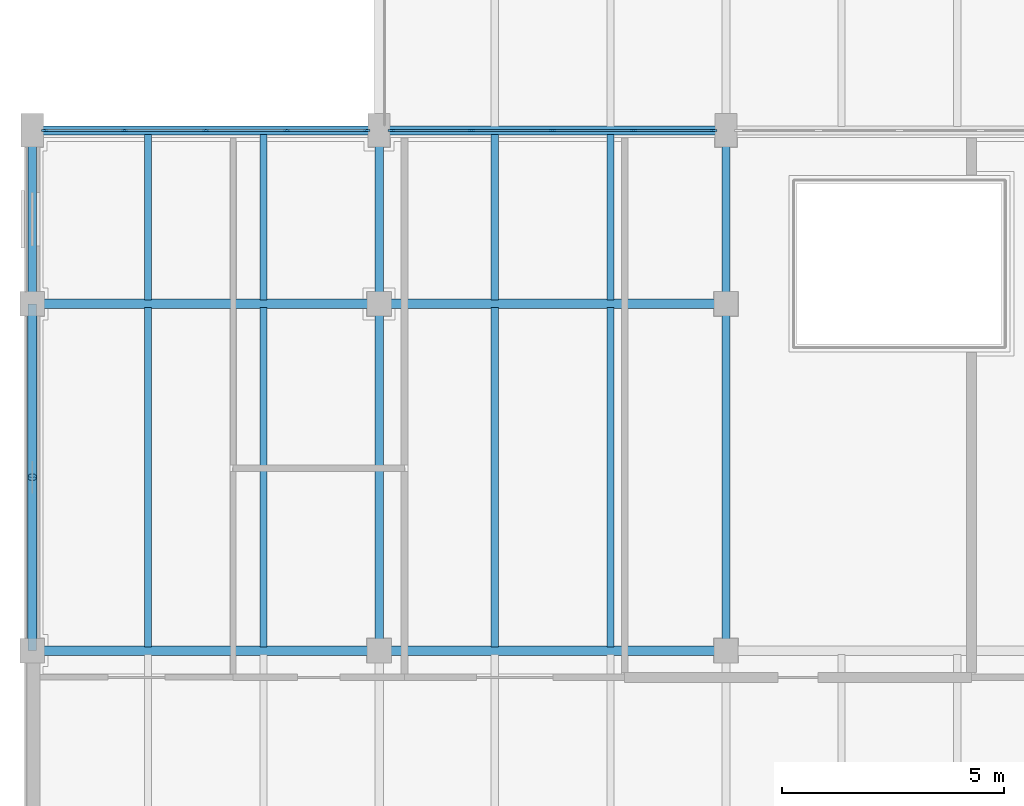
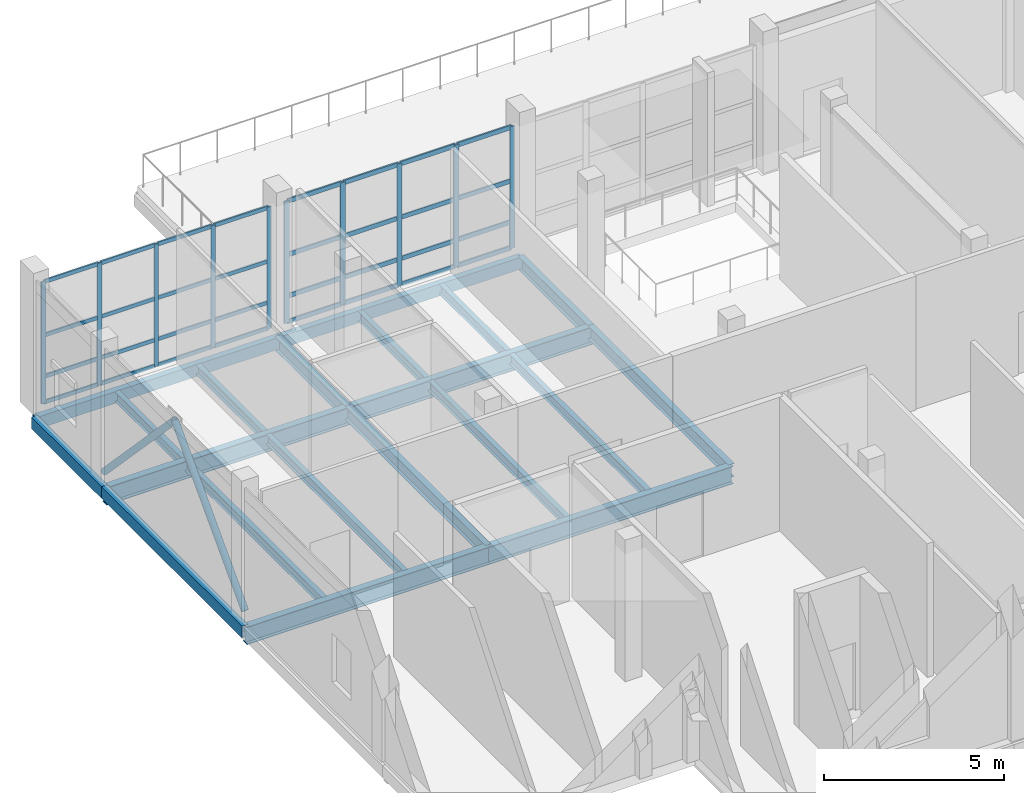
# One storey, part 32 of 138: 44 members, 20 beams, 2 elements without a shape of their own.
"""IFC4 building model written with IfcOpenShell, lengths in metres."""

from ifc_helpers import new_model, si_unit, direction, frame, origin, origin_2d, place, context, subcontext, project, spatial, rectangle, hollow_rectangle, hollow_circle, i_section, extrude, material, layer, layer_set, material_profile, profile_set, type_object, element, aggregate, save


model = new_model("IFC4")

# Units and contexts
model_context = context("Model", 3, precision=1e-05, world=origin(), true_north=direction((0.0, 1.0)))
body_context = subcontext(model_context, "Body", "Model", "MODEL_VIEW")
ifc_project = project(units=[si_unit("LENGTHUNIT", "METRE"), si_unit("AREAUNIT", "SQUARE_METRE"), si_unit("VOLUMEUNIT", "CUBIC_METRE"), si_unit("PLANEANGLEUNIT", "RADIAN"), si_unit("MASSUNIT", "GRAM", prefix="KILO")], contexts=[model_context])

# Site, building, storey
site_placement = place(None, origin())
site = spatial("IfcSite", under=ifc_project, at=site_placement, CompositionType="ELEMENT")
building_placement = place(site_placement, origin())
building = spatial("IfcBuilding", under=site, at=building_placement, Name="Celorna Specialist Clinic", CompositionType="ELEMENT")
storey_placement = place(building_placement, frame((0.0, 0.0, 4.800048828125)))
storey = spatial("IfcBuildingStorey", under=building, at=storey_placement, Name="L01", CompositionType="ELEMENT", Elevation=4.800048828125)

# Beams
ifc_material_1 = material(Name="Steel S355", Category="steel")
ifc_material_profile_1 = material_profile(ifc_material_1, i_section(OverallWidth=0.219970703125, OverallDepth=0.60009765625, WebThickness=0.011962890625, FlangeThickness=0.01904296875, at=origin_2d()), Name="IPE 600")
ifc_profile_set_1 = profile_set([ifc_material_profile_1], Name="Steel S355")
beam_type_1 = type_object("IfcBeamType", Name="BM-06", PredefinedType="BEAM", material=ifc_profile_set_1)
for number, where, z_axis, x_axis, name in (
    (1, (0.0, 50.699951171875, -0.64013671875), (1.0, 0.0, 0.0), (0.0, 1.0, 0.0), "Primary girder BM-06 #369"),
    (2, (7.800048828125, 50.699951171875, -0.64013671875), (1.0, 0.0, 0.0), (0.0, 1.0, 0.0), "Primary girder BM-06 #370"),
    (3, (0.0, 58.5, -0.64013671875), (1.0, 0.0, 0.0), (0.0, 1.0, 0.0), "Primary girder BM-06 #375"),
    (4, (7.800048828125, 58.5, -0.64013671875), (1.0, 0.0, 0.0), (0.0, 1.0, 0.0), "Primary girder BM-06 #376"),
):
    element("IfcBeam", number, at=place(storey_placement, frame(where, z_axis=z_axis, x_axis=x_axis)), inside=storey, type_object=beam_type_1, Name=name, PredefinedType="BEAM", context=body_context, shape_type="SweptSolid", body=[
        extrude(i_section(OverallWidth=0.219970703125, OverallDepth=0.60009765625, WebThickness=0.011962890625, FlangeThickness=0.01904296875, at=origin_2d()), origin(), (0.0, 0.0, 1.0), 7.800048828125),
    ])
ifc_material_profile_2 = material_profile(ifc_material_1, i_section(OverallWidth=0.18994140625, OverallDepth=0.449951171875, WebThickness=0.009521484375, FlangeThickness=0.0146484375, at=origin_2d()), Name="IPE 450")
ifc_profile_set_2 = profile_set([ifc_material_profile_2], Name="Steel S355")
beam_type_2 = type_object("IfcBeamType", Name="BM-09", PredefinedType="BEAM", material=ifc_profile_set_2)
beam_1_placement = place(storey_placement, frame((7.800048828125, 50.699951171875, -0.56494140625), z_axis=(0.0, 1.0, 0.0), x_axis=(-1.0, 0.0, 0.0)))
element("IfcBeam", 5, at=beam_1_placement, inside=storey, type_object=beam_type_2, Name="Transverse girder BM-09 #392", PredefinedType="BEAM", context=body_context, shape_type="SweptSolid", body=[
    extrude(i_section(OverallWidth=0.18994140625, OverallDepth=0.449951171875, WebThickness=0.009521484375, FlangeThickness=0.0146484375, at=origin_2d()), origin(), (0.0, 0.0, 1.0), 7.800048828125),
])
beam_2_placement = place(storey_placement, frame((7.800048828125, 58.5, -0.56494140625), z_axis=(0.0, 1.0, 0.0), x_axis=(-1.0, 0.0, 0.0)))
element("IfcBeam", 6, at=beam_2_placement, inside=storey, type_object=beam_type_2, Name="Transverse girder BM-09 #393", PredefinedType="BEAM", context=body_context, shape_type="SweptSolid", body=[
    extrude(i_section(OverallWidth=0.18994140625, OverallDepth=0.449951171875, WebThickness=0.009521484375, FlangeThickness=0.0146484375, at=origin_2d()), origin(), (0.0, 0.0, 1.0), 3.89990234375),
])
beam_3_placement = place(storey_placement, frame((15.60009765625, 50.699951171875, -0.56494140625), z_axis=(0.0, 1.0, 0.0), x_axis=(-1.0, 0.0, 0.0)))
element("IfcBeam", 7, at=beam_3_placement, inside=storey, type_object=beam_type_2, Name="Transverse girder BM-09 #396", PredefinedType="BEAM", context=body_context, shape_type="SweptSolid", body=[
    extrude(i_section(OverallWidth=0.18994140625, OverallDepth=0.449951171875, WebThickness=0.009521484375, FlangeThickness=0.0146484375, at=origin_2d()), origin(), (0.0, 0.0, 1.0), 7.800048828125),
])
beam_4_placement = place(storey_placement, frame((15.60009765625, 58.5, -0.56494140625), z_axis=(0.0, 1.0, 0.0), x_axis=(-1.0, 0.0, 0.0)))
element("IfcBeam", 8, at=beam_4_placement, inside=storey, type_object=beam_type_2, Name="Transverse girder BM-09 #397", PredefinedType="BEAM", context=body_context, shape_type="SweptSolid", body=[
    extrude(i_section(OverallWidth=0.18994140625, OverallDepth=0.449951171875, WebThickness=0.009521484375, FlangeThickness=0.0146484375, at=origin_2d()), origin(), (0.0, 0.0, 1.0), 3.89990234375),
])
ifc_material_profile_3 = material_profile(ifc_material_1, i_section(OverallWidth=0.159912109375, OverallDepth=0.330078125, WebThickness=0.007568359375, FlangeThickness=0.011474609375, at=origin_2d()), Name="IPE 330")
ifc_profile_set_3 = profile_set([ifc_material_profile_3], Name="Steel S355")
beam_type_3 = type_object("IfcBeamType", Name="BM-12", PredefinedType="JOIST", material=ifc_profile_set_3)
for number, where, z_axis, x_axis, name in (
    (9, (2.60009765625, 50.7880859375, -0.505126953125), (0.0, 1.0, 0.0), (-1.0, 0.0, 0.0), "Secondary floor joist BM-12 #416"),
    (10, (5.199951171875, 50.7880859375, -0.505126953125), (0.0, 1.0, 0.0), (-1.0, 0.0, 0.0), "Secondary floor joist BM-12 #417"),
):
    element("IfcBeam", number, at=place(storey_placement, frame(where, z_axis=z_axis, x_axis=x_axis)), inside=storey, type_object=beam_type_3, Name=name, PredefinedType="JOIST", context=body_context, shape_type="SweptSolid", body=[
        extrude(i_section(OverallWidth=0.159912109375, OverallDepth=0.330078125, WebThickness=0.007568359375, FlangeThickness=0.011474609375, at=origin_2d()), origin(), (0.0, 0.0, 1.0), 7.6240234375),
    ])
for number, where, z_axis, x_axis, name in (
    (11, (2.60009765625, 58.587890625, -0.505126953125), (0.0, 1.0, 0.0), (-1.0, 0.0, 0.0), "Secondary floor joist BM-12 #418"),
    (12, (5.199951171875, 58.587890625, -0.505126953125), (0.0, 1.0, 0.0), (-1.0, 0.0, 0.0), "Secondary floor joist BM-12 #419"),
):
    element("IfcBeam", number, at=place(storey_placement, frame(where, z_axis=z_axis, x_axis=x_axis)), inside=storey, type_object=beam_type_3, Name=name, PredefinedType="JOIST", context=body_context, shape_type="SweptSolid", body=[
        extrude(i_section(OverallWidth=0.159912109375, OverallDepth=0.330078125, WebThickness=0.007568359375, FlangeThickness=0.011474609375, at=origin_2d()), origin(), (0.0, 0.0, 1.0), 3.72412109375),
    ])
for number, where, z_axis, x_axis, name in (
    (13, (10.39990234375, 50.7880859375, -0.505126953125), (0.0, 1.0, 0.0), (-1.0, 0.0, 0.0), "Secondary floor joist BM-12 #424"),
    (14, (13.0, 50.7880859375, -0.505126953125), (0.0, 1.0, 0.0), (-1.0, 0.0, 0.0), "Secondary floor joist BM-12 #425"),
):
    element("IfcBeam", number, at=place(storey_placement, frame(where, z_axis=z_axis, x_axis=x_axis)), inside=storey, type_object=beam_type_3, Name=name, PredefinedType="JOIST", context=body_context, shape_type="SweptSolid", body=[
        extrude(i_section(OverallWidth=0.159912109375, OverallDepth=0.330078125, WebThickness=0.007568359375, FlangeThickness=0.011474609375, at=origin_2d()), origin(), (0.0, 0.0, 1.0), 7.6240234375),
    ])
for number, where, z_axis, x_axis, name in (
    (15, (10.39990234375, 58.587890625, -0.505126953125), (0.0, 1.0, 0.0), (-1.0, 0.0, 0.0), "Secondary floor joist BM-12 #426"),
    (16, (13.0, 58.587890625, -0.505126953125), (0.0, 1.0, 0.0), (-1.0, 0.0, 0.0), "Secondary floor joist BM-12 #427"),
):
    element("IfcBeam", number, at=place(storey_placement, frame(where, z_axis=z_axis, x_axis=x_axis)), inside=storey, type_object=beam_type_3, Name=name, PredefinedType="JOIST", context=body_context, shape_type="SweptSolid", body=[
        extrude(i_section(OverallWidth=0.159912109375, OverallDepth=0.330078125, WebThickness=0.007568359375, FlangeThickness=0.011474609375, at=origin_2d()), origin(), (0.0, 0.0, 1.0), 3.72412109375),
    ])
ifc_material_profile_4 = material_profile(ifc_material_1, hollow_rectangle(XDim=0.199951171875, YDim=0.39990234375, WallThickness=0.011962890625, at=origin_2d()), Name="RHS 200x400x12")
ifc_profile_set_4 = profile_set([ifc_material_profile_4], Name="Steel S355")
beam_type_4 = type_object("IfcBeamType", Name="BM-15", PredefinedType="SPANDREL", material=ifc_profile_set_4)
for number, where, z_axis, x_axis, name in (
    (17, (0.0, 62.39990234375, -0.5400390625), (1.0, 0.0, 0.0), (0.0, 1.0, 0.0), "Spandrel beam BM-15 #380"),
    (18, (7.800048828125, 62.39990234375, -0.5400390625), (1.0, 0.0, 0.0), (0.0, 1.0, 0.0), "Spandrel beam BM-15 #381"),
    (19, (0.0, 50.699951171875, -0.5400390625), (0.0, 1.0, 0.0), (-1.0, 0.0, 0.0), "Spandrel beam BM-15 #388"),
):
    element("IfcBeam", number, at=place(storey_placement, frame(where, z_axis=z_axis, x_axis=x_axis)), inside=storey, type_object=beam_type_4, Name=name, PredefinedType="SPANDREL", context=body_context, shape_type="SweptSolid", body=[
        extrude(hollow_rectangle(XDim=0.199951171875, YDim=0.39990234375, WallThickness=0.011962890625, at=origin_2d()), origin(), (0.0, 0.0, 1.0), 7.800048828125),
    ])
beam_5_placement = place(storey_placement, frame((0.0, 58.5, -0.5400390625), z_axis=(0.0, 1.0, 0.0), x_axis=(-1.0, 0.0, 0.0)))
element("IfcBeam", 20, at=beam_5_placement, inside=storey, type_object=beam_type_4, Name="Spandrel beam BM-15 #389", PredefinedType="SPANDREL", context=body_context, shape_type="SweptSolid", body=[
    extrude(hollow_rectangle(XDim=0.199951171875, YDim=0.39990234375, WallThickness=0.011962890625, at=origin_2d()), origin(), (0.0, 0.0, 1.0), 3.89990234375),
])

# Members
ifc_material_profile_5 = material_profile(ifc_material_1, hollow_circle(Radius=0.109619140625, WallThickness=0.012451171875, at=origin_2d()), Name="CHS 219.1x12.5")
ifc_profile_set_5 = profile_set([ifc_material_profile_5], Name="Steel S355")
member_type_1 = type_object("IfcMemberType", Name="MB-07", PredefinedType="BRACE", material=ifc_profile_set_5)
for number, where, z_axis, x_axis, name in (
    (21, (0.0, 50.699951171875, 0.14990234375), (0.0, 0.689218737868, 0.724553332317), (-1.0, 0.0, 0.0), "Lateral chevron brace WP-110-WP-111"),
    (22, (0.0, 58.5, 0.14990234375), (0.0, -0.689196087446, 0.724574877462), (1.0, 0.0, 0.0), "Lateral chevron brace WP-112-WP-111"),
):
    element("IfcMember", number, at=place(storey_placement, frame(where, z_axis=z_axis, x_axis=x_axis)), inside=storey, type_object=member_type_1, Name=name, PredefinedType="BRACE", context=body_context, shape_type="SweptSolid", body=[
        extrude(hollow_circle(Radius=0.109619140625, WallThickness=0.012451171875, at=origin_2d()), origin(), (0.0, 0.0, 1.0), 5.65869140625),
    ])

# Curtain wall, members
ifc_material_2 = material(Name="Thermally broken aluminium and solar-control glass curtain wall", Category="aluminium")
ifc_layer_1 = layer(ifc_material_2, 0.159912109375, Name="Thermally broken aluminium and solar-control glass curtain wall")
ifc_layer_set_1 = layer_set([ifc_layer_1], Name="Thermally broken aluminium and solar-control glass curtain wall")
curtain_wall_type_1 = type_object("IfcCurtainWallType", Name="CW-23", PredefinedType="NOTDEFINED", material=ifc_layer_set_1)
curtain_wall_1_placement = place(storey_placement, origin())
curtain_wall_1 = element("IfcCurtainWall", 23, at=curtain_wall_1_placement, inside=storey, type_object=curtain_wall_type_1, Name="Curtain wall CW-23 #51", PredefinedType="NOTDEFINED")
ifc_material_3 = material(Name="Anodized aluminium mullion", Category="aluminium")
ifc_material_profile_6 = material_profile(ifc_material_3, rectangle(XDim=0.050048828125, YDim=0.159912109375, at=origin_2d()), Name="ALU MULLION 50x160")
ifc_profile_set_6 = profile_set([ifc_material_profile_6], Name="Anodized aluminium mullion")
member_type_2 = type_object("IfcMemberType", Name="ML-01", PredefinedType="MULLION", material=ifc_profile_set_6)
member_1_placement = place(storey_placement, frame((8.0791015625, 62.39990234375, 0.0), z_axis=(0.0, 0.0, 1.0), x_axis=(0.0, 1.0, 0.0)))
member_1 = element("IfcMember", 24, at=member_1_placement, type_object=member_type_2, Name="CW-23 mullion 1", PredefinedType="MULLION", context=body_context, shape_type="SweptSolid", body=[
    extrude(rectangle(XDim=0.050048828125, YDim=0.159912109375, at=origin_2d()), origin(), (0.0, 0.0, 1.0), 4.139892578125),
])
member_2_placement = place(storey_placement, frame((9.876953125, 62.39990234375, 0.0), z_axis=(0.0, 0.0, 1.0), x_axis=(0.0, 1.0, 0.0)))
member_2 = element("IfcMember", 25, at=member_2_placement, type_object=member_type_2, Name="CW-23 mullion 2", PredefinedType="MULLION", context=body_context, shape_type="SweptSolid", body=[
    extrude(rectangle(XDim=0.050048828125, YDim=0.159912109375, at=origin_2d()), origin(), (0.0, 0.0, 1.0), 4.139892578125),
])
member_3_placement = place(storey_placement, frame((11.699951171875, 62.39990234375, 0.0), z_axis=(0.0, 0.0, 1.0), x_axis=(0.0, 1.0, 0.0)))
member_3 = element("IfcMember", 26, at=member_3_placement, type_object=member_type_2, Name="CW-23 mullion 3", PredefinedType="MULLION", context=body_context, shape_type="SweptSolid", body=[
    extrude(rectangle(XDim=0.050048828125, YDim=0.159912109375, at=origin_2d()), origin(), (0.0, 0.0, 1.0), 4.139892578125),
])
member_4_placement = place(storey_placement, frame((13.52294921875, 62.39990234375, 0.0), z_axis=(0.0, 0.0, 1.0), x_axis=(0.0, 1.0, 0.0)))
member_4 = element("IfcMember", 27, at=member_4_placement, type_object=member_type_2, Name="CW-23 mullion 4", PredefinedType="MULLION", context=body_context, shape_type="SweptSolid", body=[
    extrude(rectangle(XDim=0.050048828125, YDim=0.159912109375, at=origin_2d()), origin(), (0.0, 0.0, 1.0), 4.139892578125),
])
member_5_placement = place(storey_placement, frame((15.321044921875, 62.39990234375, 0.0), z_axis=(0.0, 0.0, 1.0), x_axis=(0.0, 1.0, 0.0)))
member_5 = element("IfcMember", 28, at=member_5_placement, type_object=member_type_2, Name="CW-23 mullion 5", PredefinedType="MULLION", context=body_context, shape_type="SweptSolid", body=[
    extrude(rectangle(XDim=0.050048828125, YDim=0.159912109375, at=origin_2d()), origin(), (0.0, 0.0, 1.0), 4.139892578125),
])

ifc_layer_2 = layer(ifc_material_2, 0.159912109375, Name="Thermally broken aluminium and solar-control glass curtain wall")
ifc_layer_set_2 = layer_set([ifc_layer_2], Name="Thermally broken aluminium and solar-control glass curtain wall")
curtain_wall_type_2 = type_object("IfcCurtainWallType", Name="CW-22", PredefinedType="NOTDEFINED", material=ifc_layer_set_2)
curtain_wall_2_placement = place(storey_placement, origin())
curtain_wall_2 = element("IfcCurtainWall", 29, at=curtain_wall_2_placement, inside=storey, type_object=curtain_wall_type_2, Name="Curtain wall CW-22 #50", PredefinedType="NOTDEFINED")
ifc_material_profile_7 = material_profile(ifc_material_3, rectangle(XDim=0.050048828125, YDim=0.139892578125, at=origin_2d()), Name="ALU MULLION 50x140")
ifc_profile_set_7 = profile_set([ifc_material_profile_7], Name="Anodized aluminium mullion")
member_type_3 = type_object("IfcMemberType", Name="ML-03", PredefinedType="MULLION", material=ifc_profile_set_7)
member_6_placement = place(storey_placement, frame((0.279052734375, 62.39990234375, 0.0), z_axis=(0.0, 0.0, 1.0), x_axis=(0.0, 1.0, 0.0)))
member_6 = element("IfcMember", 30, at=member_6_placement, type_object=member_type_3, Name="CW-22 mullion 1", PredefinedType="MULLION", context=body_context, shape_type="SweptSolid", body=[
    extrude(rectangle(XDim=0.050048828125, YDim=0.139892578125, at=origin_2d()), origin(), (0.0, 0.0, 1.0), 4.139892578125),
])
member_7_placement = place(storey_placement, frame((2.076904296875, 62.39990234375, 0.0), z_axis=(0.0, 0.0, 1.0), x_axis=(0.0, 1.0, 0.0)))
member_7 = element("IfcMember", 31, at=member_7_placement, type_object=member_type_3, Name="CW-22 mullion 2", PredefinedType="MULLION", context=body_context, shape_type="SweptSolid", body=[
    extrude(rectangle(XDim=0.050048828125, YDim=0.139892578125, at=origin_2d()), origin(), (0.0, 0.0, 1.0), 4.139892578125),
])
member_8_placement = place(storey_placement, frame((3.89990234375, 62.39990234375, 0.0), z_axis=(0.0, 0.0, 1.0), x_axis=(0.0, 1.0, 0.0)))
member_8 = element("IfcMember", 32, at=member_8_placement, type_object=member_type_3, Name="CW-22 mullion 3", PredefinedType="MULLION", context=body_context, shape_type="SweptSolid", body=[
    extrude(rectangle(XDim=0.050048828125, YDim=0.139892578125, at=origin_2d()), origin(), (0.0, 0.0, 1.0), 4.139892578125),
])
member_9_placement = place(storey_placement, frame((5.722900390625, 62.39990234375, 0.0), z_axis=(0.0, 0.0, 1.0), x_axis=(0.0, 1.0, 0.0)))
member_9 = element("IfcMember", 33, at=member_9_placement, type_object=member_type_3, Name="CW-22 mullion 4", PredefinedType="MULLION", context=body_context, shape_type="SweptSolid", body=[
    extrude(rectangle(XDim=0.050048828125, YDim=0.139892578125, at=origin_2d()), origin(), (0.0, 0.0, 1.0), 4.139892578125),
])
member_10_placement = place(storey_placement, frame((7.52099609375, 62.39990234375, 0.0), z_axis=(0.0, 0.0, 1.0), x_axis=(0.0, 1.0, 0.0)))
member_10 = element("IfcMember", 34, at=member_10_placement, type_object=member_type_3, Name="CW-22 mullion 5", PredefinedType="MULLION", context=body_context, shape_type="SweptSolid", body=[
    extrude(rectangle(XDim=0.050048828125, YDim=0.139892578125, at=origin_2d()), origin(), (0.0, 0.0, 1.0), 4.139892578125),
])
ifc_material_4 = material(Name="Anodized aluminium transom", Category="aluminium")
ifc_material_profile_8 = material_profile(ifc_material_4, rectangle(XDim=0.050048828125, YDim=0.1298828125, at=origin_2d()), Name="ALU TRANSOM 50x130")
ifc_profile_set_8 = profile_set([ifc_material_profile_8], Name="Anodized aluminium transom")
member_type_4 = type_object("IfcMemberType", Name="TR-01", PredefinedType="USERDEFINED", material=ifc_profile_set_8)
member_11_placement = place(storey_placement, frame((0.303955078125, 62.39990234375, 0.02490234375), z_axis=(1.0, 0.0, 0.0), x_axis=(0.0, 1.0, 0.0)))
member_11 = element("IfcMember", 35, at=member_11_placement, type_object=member_type_4, Name="CW-22 transom 1.1", ObjectType="TRANSOM", PredefinedType="USERDEFINED", context=body_context, shape_type="SweptSolid", body=[
    extrude(rectangle(XDim=0.050048828125, YDim=0.1298828125, at=origin_2d()), origin(), (0.0, 0.0, 1.0), 1.748046875),
])
member_12_placement = place(storey_placement, frame((0.303955078125, 62.39990234375, 0.89990234375), z_axis=(1.0, 0.0, 0.0), x_axis=(0.0, 1.0, 0.0)))
member_12 = element("IfcMember", 36, at=member_12_placement, type_object=member_type_4, Name="CW-22 transom 1.2", ObjectType="TRANSOM", PredefinedType="USERDEFINED", context=body_context, shape_type="SweptSolid", body=[
    extrude(rectangle(XDim=0.050048828125, YDim=0.1298828125, at=origin_2d()), origin(), (0.0, 0.0, 1.0), 1.748046875),
])
member_13_placement = place(storey_placement, frame((0.303955078125, 62.39990234375, 2.300048828125), z_axis=(1.0, 0.0, 0.0), x_axis=(0.0, 1.0, 0.0)))
member_13 = element("IfcMember", 37, at=member_13_placement, type_object=member_type_4, Name="CW-22 transom 1.3", ObjectType="TRANSOM", PredefinedType="USERDEFINED", context=body_context, shape_type="SweptSolid", body=[
    extrude(rectangle(XDim=0.050048828125, YDim=0.1298828125, at=origin_2d()), origin(), (0.0, 0.0, 1.0), 1.748046875),
])
member_14_placement = place(storey_placement, frame((0.303955078125, 62.39990234375, 4.114990234375), z_axis=(1.0, 0.0, 0.0), x_axis=(0.0, 1.0, 0.0)))
member_14 = element("IfcMember", 38, at=member_14_placement, type_object=member_type_4, Name="CW-22 transom 1.4", ObjectType="TRANSOM", PredefinedType="USERDEFINED", context=body_context, shape_type="SweptSolid", body=[
    extrude(rectangle(XDim=0.050048828125, YDim=0.1298828125, at=origin_2d()), origin(), (0.0, 0.0, 1.0), 1.748046875),
])
member_15_placement = place(storey_placement, frame((2.10205078125, 62.39990234375, 0.02490234375), z_axis=(1.0, 0.0, 0.0), x_axis=(0.0, 1.0, 0.0)))
member_15 = element("IfcMember", 39, at=member_15_placement, type_object=member_type_4, Name="CW-22 transom 2.1", ObjectType="TRANSOM", PredefinedType="USERDEFINED", context=body_context, shape_type="SweptSolid", body=[
    extrude(rectangle(XDim=0.050048828125, YDim=0.1298828125, at=origin_2d()), origin(), (0.0, 0.0, 1.0), 1.77294921875),
])
member_16_placement = place(storey_placement, frame((2.10205078125, 62.39990234375, 0.89990234375), z_axis=(1.0, 0.0, 0.0), x_axis=(0.0, 1.0, 0.0)))
member_16 = element("IfcMember", 40, at=member_16_placement, type_object=member_type_4, Name="CW-22 transom 2.2", ObjectType="TRANSOM", PredefinedType="USERDEFINED", context=body_context, shape_type="SweptSolid", body=[
    extrude(rectangle(XDim=0.050048828125, YDim=0.1298828125, at=origin_2d()), origin(), (0.0, 0.0, 1.0), 1.77294921875),
])
member_17_placement = place(storey_placement, frame((2.10205078125, 62.39990234375, 2.300048828125), z_axis=(1.0, 0.0, 0.0), x_axis=(0.0, 1.0, 0.0)))
member_17 = element("IfcMember", 41, at=member_17_placement, type_object=member_type_4, Name="CW-22 transom 2.3", ObjectType="TRANSOM", PredefinedType="USERDEFINED", context=body_context, shape_type="SweptSolid", body=[
    extrude(rectangle(XDim=0.050048828125, YDim=0.1298828125, at=origin_2d()), origin(), (0.0, 0.0, 1.0), 1.77294921875),
])
member_18_placement = place(storey_placement, frame((2.10205078125, 62.39990234375, 4.114990234375), z_axis=(1.0, 0.0, 0.0), x_axis=(0.0, 1.0, 0.0)))
member_18 = element("IfcMember", 42, at=member_18_placement, type_object=member_type_4, Name="CW-22 transom 2.4", ObjectType="TRANSOM", PredefinedType="USERDEFINED", context=body_context, shape_type="SweptSolid", body=[
    extrude(rectangle(XDim=0.050048828125, YDim=0.1298828125, at=origin_2d()), origin(), (0.0, 0.0, 1.0), 1.77294921875),
])
member_19_placement = place(storey_placement, frame((3.925048828125, 62.39990234375, 0.02490234375), z_axis=(1.0, 0.0, 0.0), x_axis=(0.0, 1.0, 0.0)))
member_19 = element("IfcMember", 43, at=member_19_placement, type_object=member_type_4, Name="CW-22 transom 3.1", ObjectType="TRANSOM", PredefinedType="USERDEFINED", context=body_context, shape_type="SweptSolid", body=[
    extrude(rectangle(XDim=0.050048828125, YDim=0.1298828125, at=origin_2d()), origin(), (0.0, 0.0, 1.0), 1.77294921875),
])
member_20_placement = place(storey_placement, frame((3.925048828125, 62.39990234375, 0.89990234375), z_axis=(1.0, 0.0, 0.0), x_axis=(0.0, 1.0, 0.0)))
member_20 = element("IfcMember", 44, at=member_20_placement, type_object=member_type_4, Name="CW-22 transom 3.2", ObjectType="TRANSOM", PredefinedType="USERDEFINED", context=body_context, shape_type="SweptSolid", body=[
    extrude(rectangle(XDim=0.050048828125, YDim=0.1298828125, at=origin_2d()), origin(), (0.0, 0.0, 1.0), 1.77294921875),
])
member_21_placement = place(storey_placement, frame((3.925048828125, 62.39990234375, 2.300048828125), z_axis=(1.0, 0.0, 0.0), x_axis=(0.0, 1.0, 0.0)))
member_21 = element("IfcMember", 45, at=member_21_placement, type_object=member_type_4, Name="CW-22 transom 3.3", ObjectType="TRANSOM", PredefinedType="USERDEFINED", context=body_context, shape_type="SweptSolid", body=[
    extrude(rectangle(XDim=0.050048828125, YDim=0.1298828125, at=origin_2d()), origin(), (0.0, 0.0, 1.0), 1.77294921875),
])
member_22_placement = place(storey_placement, frame((3.925048828125, 62.39990234375, 4.114990234375), z_axis=(1.0, 0.0, 0.0), x_axis=(0.0, 1.0, 0.0)))
member_22 = element("IfcMember", 46, at=member_22_placement, type_object=member_type_4, Name="CW-22 transom 3.4", ObjectType="TRANSOM", PredefinedType="USERDEFINED", context=body_context, shape_type="SweptSolid", body=[
    extrude(rectangle(XDim=0.050048828125, YDim=0.1298828125, at=origin_2d()), origin(), (0.0, 0.0, 1.0), 1.77294921875),
])
member_23_placement = place(storey_placement, frame((5.748046875, 62.39990234375, 0.02490234375), z_axis=(1.0, 0.0, 0.0), x_axis=(0.0, 1.0, 0.0)))
member_23 = element("IfcMember", 47, at=member_23_placement, type_object=member_type_4, Name="CW-22 transom 4.1", ObjectType="TRANSOM", PredefinedType="USERDEFINED", context=body_context, shape_type="SweptSolid", body=[
    extrude(rectangle(XDim=0.050048828125, YDim=0.1298828125, at=origin_2d()), origin(), (0.0, 0.0, 1.0), 1.748046875),
])
member_24_placement = place(storey_placement, frame((5.748046875, 62.39990234375, 0.89990234375), z_axis=(1.0, 0.0, 0.0), x_axis=(0.0, 1.0, 0.0)))
member_24 = element("IfcMember", 48, at=member_24_placement, type_object=member_type_4, Name="CW-22 transom 4.2", ObjectType="TRANSOM", PredefinedType="USERDEFINED", context=body_context, shape_type="SweptSolid", body=[
    extrude(rectangle(XDim=0.050048828125, YDim=0.1298828125, at=origin_2d()), origin(), (0.0, 0.0, 1.0), 1.748046875),
])
member_25_placement = place(storey_placement, frame((5.748046875, 62.39990234375, 2.300048828125), z_axis=(1.0, 0.0, 0.0), x_axis=(0.0, 1.0, 0.0)))
member_25 = element("IfcMember", 49, at=member_25_placement, type_object=member_type_4, Name="CW-22 transom 4.3", ObjectType="TRANSOM", PredefinedType="USERDEFINED", context=body_context, shape_type="SweptSolid", body=[
    extrude(rectangle(XDim=0.050048828125, YDim=0.1298828125, at=origin_2d()), origin(), (0.0, 0.0, 1.0), 1.748046875),
])
member_26_placement = place(storey_placement, frame((5.748046875, 62.39990234375, 4.114990234375), z_axis=(1.0, 0.0, 0.0), x_axis=(0.0, 1.0, 0.0)))
member_26 = element("IfcMember", 50, at=member_26_placement, type_object=member_type_4, Name="CW-22 transom 4.4", ObjectType="TRANSOM", PredefinedType="USERDEFINED", context=body_context, shape_type="SweptSolid", body=[
    extrude(rectangle(XDim=0.050048828125, YDim=0.1298828125, at=origin_2d()), origin(), (0.0, 0.0, 1.0), 1.748046875),
])
aggregate(curtain_wall_2, [member_6, member_7, member_8, member_9, member_10, member_11, member_12, member_13, member_14, member_15, member_16, member_17, member_18, member_19, member_20, member_21, member_22, member_23, member_24, member_25, member_26])

# Member
ifc_material_profile_9 = material_profile(ifc_material_4, rectangle(XDim=0.050048828125, YDim=0.14990234375, at=origin_2d()), Name="ALU TRANSOM 50x150")
ifc_profile_set_9 = profile_set([ifc_material_profile_9], Name="Anodized aluminium transom")
member_type_5 = type_object("IfcMemberType", Name="TR-02", PredefinedType="USERDEFINED", material=ifc_profile_set_9)
member_27_placement = place(storey_placement, frame((8.10400390625, 62.39990234375, 0.02490234375), z_axis=(1.0, 0.0, 0.0), x_axis=(0.0, 1.0, 0.0)))
member_27 = element("IfcMember", 51, at=member_27_placement, type_object=member_type_5, Name="CW-23 transom 1.1", ObjectType="TRANSOM", PredefinedType="USERDEFINED", context=body_context, shape_type="SweptSolid", body=[
    extrude(rectangle(XDim=0.050048828125, YDim=0.14990234375, at=origin_2d()), origin(), (0.0, 0.0, 1.0), 1.748046875),
])

member_28_placement = place(storey_placement, frame((8.10400390625, 62.39990234375, 0.89990234375), z_axis=(1.0, 0.0, 0.0), x_axis=(0.0, 1.0, 0.0)))
member_28 = element("IfcMember", 52, at=member_28_placement, type_object=member_type_5, Name="CW-23 transom 1.2", ObjectType="TRANSOM", PredefinedType="USERDEFINED", context=body_context, shape_type="SweptSolid", body=[
    extrude(rectangle(XDim=0.050048828125, YDim=0.14990234375, at=origin_2d()), origin(), (0.0, 0.0, 1.0), 1.748046875),
])

member_29_placement = place(storey_placement, frame((8.10400390625, 62.39990234375, 2.300048828125), z_axis=(1.0, 0.0, 0.0), x_axis=(0.0, 1.0, 0.0)))
member_29 = element("IfcMember", 53, at=member_29_placement, type_object=member_type_5, Name="CW-23 transom 1.3", ObjectType="TRANSOM", PredefinedType="USERDEFINED", context=body_context, shape_type="SweptSolid", body=[
    extrude(rectangle(XDim=0.050048828125, YDim=0.14990234375, at=origin_2d()), origin(), (0.0, 0.0, 1.0), 1.748046875),
])

member_30_placement = place(storey_placement, frame((8.10400390625, 62.39990234375, 4.114990234375), z_axis=(1.0, 0.0, 0.0), x_axis=(0.0, 1.0, 0.0)))
member_30 = element("IfcMember", 54, at=member_30_placement, type_object=member_type_5, Name="CW-23 transom 1.4", ObjectType="TRANSOM", PredefinedType="USERDEFINED", context=body_context, shape_type="SweptSolid", body=[
    extrude(rectangle(XDim=0.050048828125, YDim=0.14990234375, at=origin_2d()), origin(), (0.0, 0.0, 1.0), 1.748046875),
])

member_31_placement = place(storey_placement, frame((9.902099609375, 62.39990234375, 0.02490234375), z_axis=(1.0, 0.0, 0.0), x_axis=(0.0, 1.0, 0.0)))
member_31 = element("IfcMember", 55, at=member_31_placement, type_object=member_type_5, Name="CW-23 transom 2.1", ObjectType="TRANSOM", PredefinedType="USERDEFINED", context=body_context, shape_type="SweptSolid", body=[
    extrude(rectangle(XDim=0.050048828125, YDim=0.14990234375, at=origin_2d()), origin(), (0.0, 0.0, 1.0), 1.77294921875),
])

member_32_placement = place(storey_placement, frame((9.902099609375, 62.39990234375, 0.89990234375), z_axis=(1.0, 0.0, 0.0), x_axis=(0.0, 1.0, 0.0)))
member_32 = element("IfcMember", 56, at=member_32_placement, type_object=member_type_5, Name="CW-23 transom 2.2", ObjectType="TRANSOM", PredefinedType="USERDEFINED", context=body_context, shape_type="SweptSolid", body=[
    extrude(rectangle(XDim=0.050048828125, YDim=0.14990234375, at=origin_2d()), origin(), (0.0, 0.0, 1.0), 1.77294921875),
])

member_33_placement = place(storey_placement, frame((9.902099609375, 62.39990234375, 2.300048828125), z_axis=(1.0, 0.0, 0.0), x_axis=(0.0, 1.0, 0.0)))
member_33 = element("IfcMember", 57, at=member_33_placement, type_object=member_type_5, Name="CW-23 transom 2.3", ObjectType="TRANSOM", PredefinedType="USERDEFINED", context=body_context, shape_type="SweptSolid", body=[
    extrude(rectangle(XDim=0.050048828125, YDim=0.14990234375, at=origin_2d()), origin(), (0.0, 0.0, 1.0), 1.77294921875),
])

member_34_placement = place(storey_placement, frame((9.902099609375, 62.39990234375, 4.114990234375), z_axis=(1.0, 0.0, 0.0), x_axis=(0.0, 1.0, 0.0)))
member_34 = element("IfcMember", 58, at=member_34_placement, type_object=member_type_5, Name="CW-23 transom 2.4", ObjectType="TRANSOM", PredefinedType="USERDEFINED", context=body_context, shape_type="SweptSolid", body=[
    extrude(rectangle(XDim=0.050048828125, YDim=0.14990234375, at=origin_2d()), origin(), (0.0, 0.0, 1.0), 1.77294921875),
])

member_35_placement = place(storey_placement, frame((11.72509765625, 62.39990234375, 0.02490234375), z_axis=(1.0, 0.0, 0.0), x_axis=(0.0, 1.0, 0.0)))
member_35 = element("IfcMember", 59, at=member_35_placement, type_object=member_type_5, Name="CW-23 transom 3.1", ObjectType="TRANSOM", PredefinedType="USERDEFINED", context=body_context, shape_type="SweptSolid", body=[
    extrude(rectangle(XDim=0.050048828125, YDim=0.14990234375, at=origin_2d()), origin(), (0.0, 0.0, 1.0), 1.77294921875),
])

member_36_placement = place(storey_placement, frame((11.72509765625, 62.39990234375, 0.89990234375), z_axis=(1.0, 0.0, 0.0), x_axis=(0.0, 1.0, 0.0)))
member_36 = element("IfcMember", 60, at=member_36_placement, type_object=member_type_5, Name="CW-23 transom 3.2", ObjectType="TRANSOM", PredefinedType="USERDEFINED", context=body_context, shape_type="SweptSolid", body=[
    extrude(rectangle(XDim=0.050048828125, YDim=0.14990234375, at=origin_2d()), origin(), (0.0, 0.0, 1.0), 1.77294921875),
])

member_37_placement = place(storey_placement, frame((11.72509765625, 62.39990234375, 2.300048828125), z_axis=(1.0, 0.0, 0.0), x_axis=(0.0, 1.0, 0.0)))
member_37 = element("IfcMember", 61, at=member_37_placement, type_object=member_type_5, Name="CW-23 transom 3.3", ObjectType="TRANSOM", PredefinedType="USERDEFINED", context=body_context, shape_type="SweptSolid", body=[
    extrude(rectangle(XDim=0.050048828125, YDim=0.14990234375, at=origin_2d()), origin(), (0.0, 0.0, 1.0), 1.77294921875),
])

member_38_placement = place(storey_placement, frame((11.72509765625, 62.39990234375, 4.114990234375), z_axis=(1.0, 0.0, 0.0), x_axis=(0.0, 1.0, 0.0)))
member_38 = element("IfcMember", 62, at=member_38_placement, type_object=member_type_5, Name="CW-23 transom 3.4", ObjectType="TRANSOM", PredefinedType="USERDEFINED", context=body_context, shape_type="SweptSolid", body=[
    extrude(rectangle(XDim=0.050048828125, YDim=0.14990234375, at=origin_2d()), origin(), (0.0, 0.0, 1.0), 1.77294921875),
])

member_39_placement = place(storey_placement, frame((13.548095703125, 62.39990234375, 0.02490234375), z_axis=(1.0, 0.0, 0.0), x_axis=(0.0, 1.0, 0.0)))
member_39 = element("IfcMember", 63, at=member_39_placement, type_object=member_type_5, Name="CW-23 transom 4.1", ObjectType="TRANSOM", PredefinedType="USERDEFINED", context=body_context, shape_type="SweptSolid", body=[
    extrude(rectangle(XDim=0.050048828125, YDim=0.14990234375, at=origin_2d()), origin(), (0.0, 0.0, 1.0), 1.747802734375),
])

member_40_placement = place(storey_placement, frame((13.548095703125, 62.39990234375, 0.89990234375), z_axis=(1.0, 0.0, 0.0), x_axis=(0.0, 1.0, 0.0)))
member_40 = element("IfcMember", 64, at=member_40_placement, type_object=member_type_5, Name="CW-23 transom 4.2", ObjectType="TRANSOM", PredefinedType="USERDEFINED", context=body_context, shape_type="SweptSolid", body=[
    extrude(rectangle(XDim=0.050048828125, YDim=0.14990234375, at=origin_2d()), origin(), (0.0, 0.0, 1.0), 1.747802734375),
])

member_41_placement = place(storey_placement, frame((13.548095703125, 62.39990234375, 2.300048828125), z_axis=(1.0, 0.0, 0.0), x_axis=(0.0, 1.0, 0.0)))
member_41 = element("IfcMember", 65, at=member_41_placement, type_object=member_type_5, Name="CW-23 transom 4.3", ObjectType="TRANSOM", PredefinedType="USERDEFINED", context=body_context, shape_type="SweptSolid", body=[
    extrude(rectangle(XDim=0.050048828125, YDim=0.14990234375, at=origin_2d()), origin(), (0.0, 0.0, 1.0), 1.747802734375),
])

member_42_placement = place(storey_placement, frame((13.548095703125, 62.39990234375, 4.114990234375), z_axis=(1.0, 0.0, 0.0), x_axis=(0.0, 1.0, 0.0)))
member_42 = element("IfcMember", 66, at=member_42_placement, type_object=member_type_5, Name="CW-23 transom 4.4", ObjectType="TRANSOM", PredefinedType="USERDEFINED", context=body_context, shape_type="SweptSolid", body=[
    extrude(rectangle(XDim=0.050048828125, YDim=0.14990234375, at=origin_2d()), origin(), (0.0, 0.0, 1.0), 1.747802734375),
])

aggregate(curtain_wall_1, [member_1, member_2, member_3, member_4, member_5, member_27, member_28, member_29, member_30, member_31, member_32, member_33, member_34, member_35, member_36, member_37, member_38, member_39, member_40, member_41, member_42])

save(model, "model.ifc")
